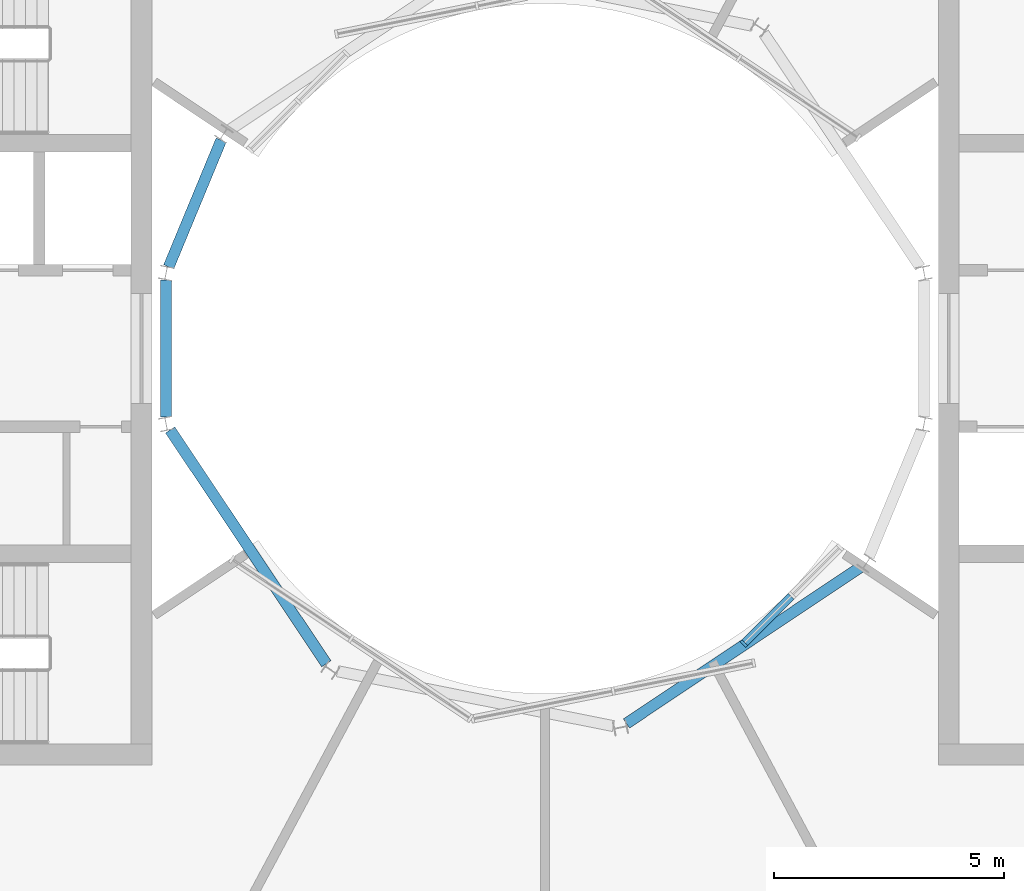
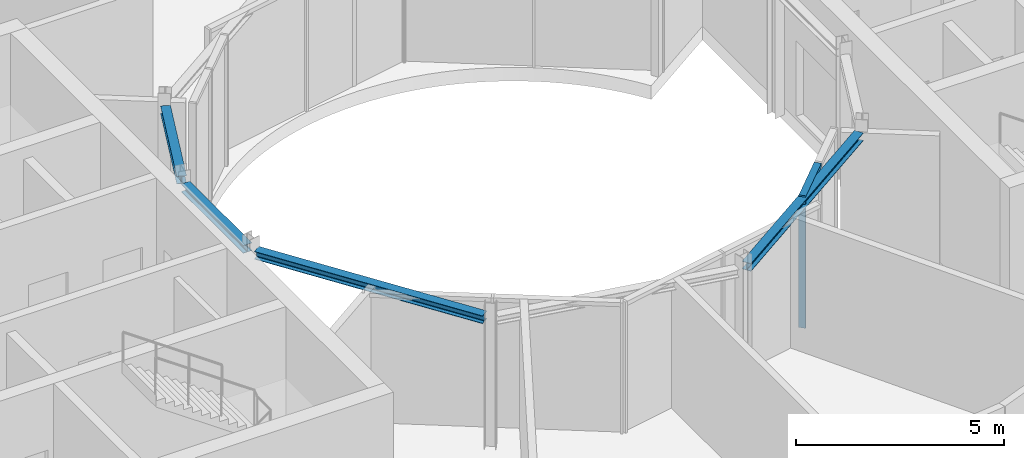
# One storey, part 7 of 19: 4 beams, 2 members, 1 element without a shape of its own.
"""IFC4 building model written with IfcOpenShell, lengths in metres."""

from ifc_helpers import new_model, si_unit, direction, frame, origin, origin_2d, place, context, subcontext, project, spatial, rectangle, i_section, extrude, material, layer, layer_set, material_profile, profile_set, type_object, element, aggregate, save


model = new_model("IFC4")

# Units and contexts
model_context = context("Model", 3, precision=1e-05, world=origin(), true_north=direction((0.0, 1.0)))
body_context = subcontext(model_context, "Body", "Model", "MODEL_VIEW")
ifc_project = project(units=[si_unit("LENGTHUNIT", "METRE"), si_unit("AREAUNIT", "SQUARE_METRE"), si_unit("VOLUMEUNIT", "CUBIC_METRE"), si_unit("PLANEANGLEUNIT", "RADIAN"), si_unit("MASSUNIT", "GRAM", prefix="KILO")], contexts=[model_context])

# Site, building, storey
site_placement = place(None, origin())
site = spatial("IfcSite", under=ifc_project, at=site_placement, CompositionType="ELEMENT")
building_placement = place(site_placement, origin())
building = spatial("IfcBuilding", under=site, at=building_placement, Name="Maasbend Ring Residences", CompositionType="ELEMENT")
storey_placement = place(building_placement, frame((0.0, 0.0, 186.0)))
storey = spatial("IfcBuildingStorey", under=building, at=storey_placement, Name="L53", CompositionType="ELEMENT", Elevation=186.0)

# Curtain wall, members
ifc_material_1 = material(Name="Aluminium and clear glass", Category="aluminium")
ifc_layer = layer(ifc_material_1, 0.179931640625)
ifc_layer_set = layer_set([ifc_layer], Name="CW-W")
curtain_wall_type = type_object("IfcCurtainWallType", Name="CW-W", PredefinedType="NOTDEFINED", material=ifc_layer_set)
curtain_wall_placement = place(storey_placement, origin())
curtain_wall = element("IfcCurtainWall", 1, at=curtain_wall_placement, inside=storey, type_object=curtain_wall_type, Name="Well curtain wall S3", PredefinedType="NOTDEFINED")
ifc_material_2 = material(Name="Aluminium 6063-T6", Category="aluminium")
ifc_material_profile_1 = material_profile(ifc_material_2, rectangle(XDim=0.179931640625, YDim=0.06005859375, at=origin_2d()), Name="AL 180x60")
ifc_profile_set_1 = profile_set([ifc_material_profile_1], Name="Aluminium 6063-T6")
member_type_1 = type_object("IfcMemberType", Name="CWM-W", PredefinedType="MULLION", material=ifc_profile_set_1)
member_1_placement = place(storey_placement, frame((4.320556640625, -6.413330078125, 0.0), z_axis=(0.0, 0.0, 1.0), x_axis=(-0.707106781187, 0.707106781187, 0.0)))
member_1 = element("IfcMember", 2, at=member_1_placement, type_object=member_type_1, Name="Mullion well face", PredefinedType="MULLION", context=body_context, shape_type="SweptSolid", body=[
    extrude(rectangle(XDim=0.179931640625, YDim=0.06005859375, at=origin_2d()), origin(), (0.0, 0.0, 1.0), 3.85009765625),
])
ifc_material_3 = material(Name="Aluminium 6063-T6", Category="aluminium")
ifc_material_profile_2 = material_profile(ifc_material_3, rectangle(XDim=0.179931640625, YDim=0.1201171875, at=origin_2d()), Name="AL 180x120")
ifc_profile_set_2 = profile_set([ifc_material_profile_2], Name="Aluminium 6063-T6")
member_type_2 = type_object("IfcMemberType", Name="CWT-W", PredefinedType="USERDEFINED", material=ifc_profile_set_2)
member_2_placement = place(storey_placement, frame((4.341796875, -6.39208984375, 3.7900390625), z_axis=(0.707106781187, 0.707106781187, 0.0), x_axis=(-0.707106781187, 0.707106781187, 0.0)))
member_2 = element("IfcMember", 3, at=member_2_placement, type_object=member_type_2, Name="Transom well face", ObjectType="TRANSOM", PredefinedType="USERDEFINED", context=body_context, shape_type="SweptSolid", body=[
    extrude(rectangle(XDim=0.179931640625, YDim=0.1201171875, at=origin_2d()), origin(), (0.0, 0.0, 1.0), 1.419677734375),
])
aggregate(curtain_wall, [member_1, member_2])

# Beams
ifc_material_4 = material(Name="Steel S355J2", Category="steel")
ifc_material_profile_3 = material_profile(ifc_material_4, i_section(OverallWidth=0.239990234375, OverallDepth=0.22998046875, WebThickness=0.007568359375, FlangeThickness=0.011962890625, FilletRadius=0.02099609375, at=origin_2d()), Name="HEA 240")
ifc_profile_set_3 = profile_set([ifc_material_profile_3], Name="Steel S355J2")
beam_type = type_object("IfcBeamType", Name="Well edge beam HEA 240", PredefinedType="BEAM", material=ifc_profile_set_3)
beam_1_placement = place(storey_placement, frame((-7.041015625, 4.5302734375, 3.735107421875), z_axis=(-0.382614534057, -0.923908068115, 0.0), x_axis=(0.923908068115, -0.382614534057, 0.0)))
element("IfcBeam", 4, at=beam_1_placement, inside=storey, type_object=beam_type, Name="Well edge beam", PredefinedType="BEAM", context=body_context, shape_type="SweptSolid", body=[
    extrude(i_section(OverallWidth=0.239990234375, OverallDepth=0.22998046875, WebThickness=0.007568359375, FlangeThickness=0.011962890625, FilletRadius=0.02099609375, at=origin_2d()), origin(), (0.0, 0.0, 1.0), 2.981689453125),
])
beam_2_placement = place(storey_placement, frame((-8.238525390625, 1.490966796875, 3.735107421875), z_axis=(0.0, -1.0, 0.0), x_axis=(1.0, 0.0, 0.0)))
element("IfcBeam", 5, at=beam_2_placement, inside=storey, type_object=beam_type, Name="Well edge beam", PredefinedType="BEAM", context=body_context, shape_type="SweptSolid", body=[
    extrude(i_section(OverallWidth=0.239990234375, OverallDepth=0.22998046875, WebThickness=0.007568359375, FlangeThickness=0.011962890625, FilletRadius=0.02099609375, at=origin_2d()), origin(), (0.0, 0.0, 1.0), 2.98193359375),
])
for number, where, z_axis, x_axis, name in (
    (6, (-8.1513671875, -1.769287109375, 3.735107421875), (0.555584356119, -0.831460175376, 0.0), (0.831460175376, 0.555584356119, 0.0), "Well edge beam"),
    (7, (1.769287109375, -8.1513671875, 3.735107421875), (0.831460175376, 0.555584356119, 0.0), (-0.555584356119, 0.831460175376, 0.0), "Well edge beam"),
):
    element("IfcBeam", number, at=place(storey_placement, frame(where, z_axis=z_axis, x_axis=x_axis)), inside=storey, type_object=beam_type, Name=name, PredefinedType="BEAM", context=body_context, shape_type="SweptSolid", body=[
        extrude(i_section(OverallWidth=0.239990234375, OverallDepth=0.22998046875, WebThickness=0.007568359375, FlangeThickness=0.011962890625, FilletRadius=0.02099609375, at=origin_2d()), origin(), (0.0, 0.0, 1.0), 6.115234375),
    ])

save(model, "model.ifc")
